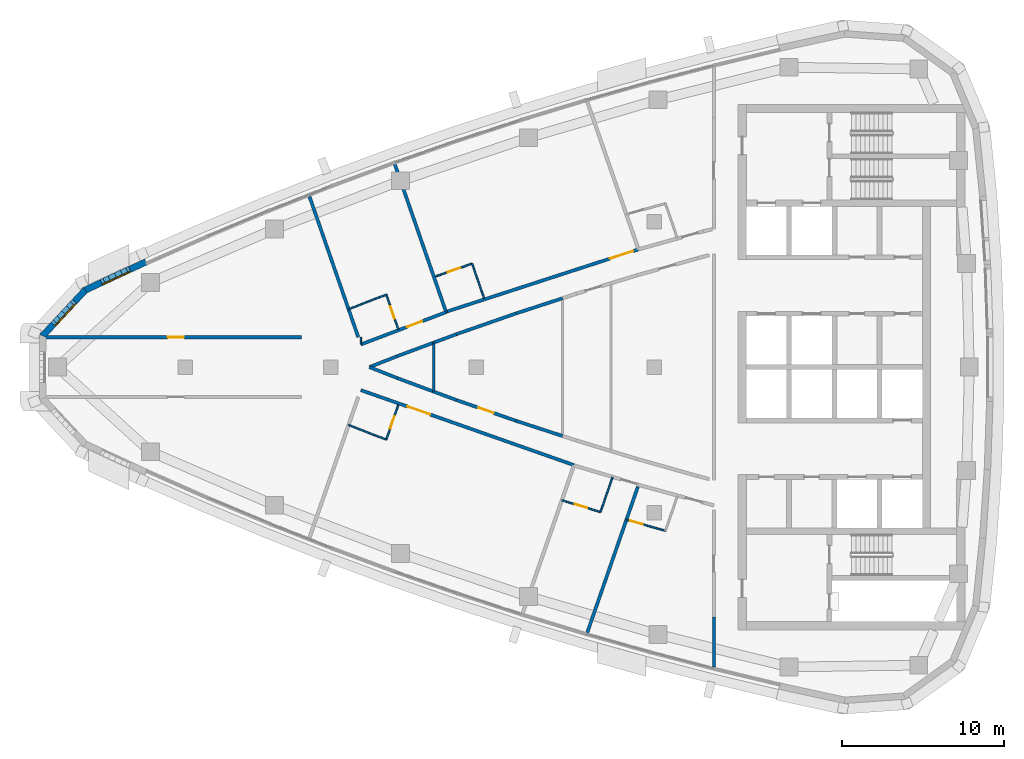
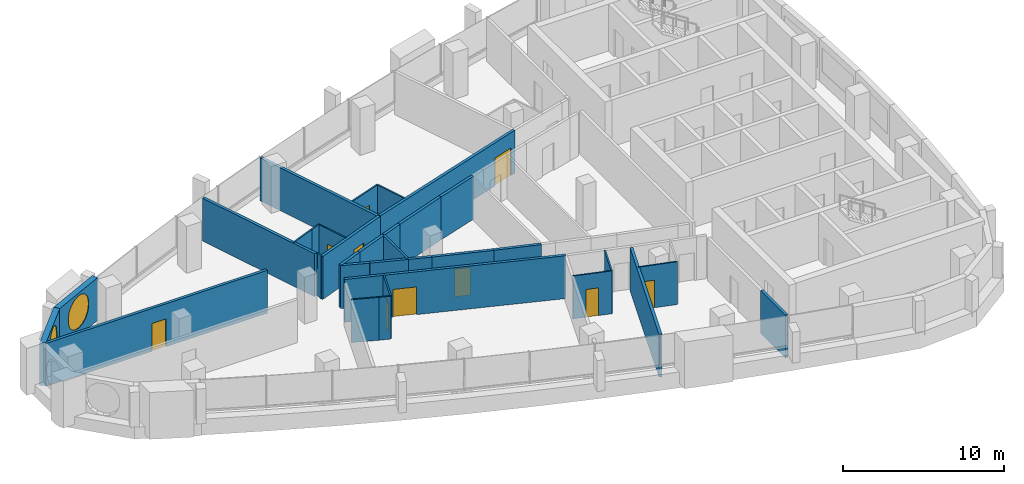
# One storey, part 7 of 14: 33 walls, 10 doors, 2 windows, 12 openings.
"""IFC4 building model written with IfcOpenShell, lengths in metres."""

import ifcopenshell
import ifcopenshell.guid

model = None  # the IFC model being written
_history = None  # IfcOwnerHistory: only IFC2X3 demands one
_inside = {}  # id of a spatial element -> (the spatial element, [elements in it])
_under = {}  # id of a project, library or spatial element -> (it, [spatial elements below it])
_declared = {}  # id of a project -> (the project, [libraries it declares])
_typed = {}  # id of a type object -> (the type object, [elements of that type])
_made_of = {}  # id of a material, layer set ... -> (it, [elements and type objects made of it])


def new_model(schema):
    """Start an empty IFC model of exactly this schema.

    Asked for "IFC4X3", IfcOpenShell would pick the latest addendum, in which some entities
    have other attributes; the version numbers below select the first issue.
    IFC2X3 requires an IfcOwnerHistory on every rooted entity: one is made here for all.
    """
    global model, _history
    if schema == "IFC4X3":
        model = ifcopenshell.file(schema_version=(4, 3, 0, 0))
    else:
        model = ifcopenshell.file(schema=schema)
    _inside.clear()
    _under.clear()
    _declared.clear()
    _typed.clear()
    _made_of.clear()
    _history = None
    if model.schema == "IFC2X3":
        org = make("IfcOrganization", Name="unknown")
        user = make(
            "IfcPersonAndOrganization",
            ThePerson=make("IfcPerson", FamilyName="unknown"),
            TheOrganization=org,
        )
        app = make(
            "IfcApplication",
            ApplicationDeveloper=org,
            Version="unknown",
            ApplicationFullName="unknown",
            ApplicationIdentifier="unknown",
        )
        _history = make(
            "IfcOwnerHistory",
            OwningUser=user,
            OwningApplication=app,
            ChangeAction="ADDED",
            CreationDate=0,
        )
    return model


def make(cls, **values):
    """One entity of the class cls with the attributes given. An attribute that is None is left unset."""
    return model.create_entity(
        cls, **{name: value for name, value in values.items() if value is not None}
    )


def rooted(cls, **values):
    """An entity with a GlobalId (a new one), such as an element, a storey or a relation."""
    return make(cls, GlobalId=ifcopenshell.guid.new(), OwnerHistory=_history, **values)


def si_unit(unit_type, name, prefix=None):
    """IfcSIUnit, for example si_unit("LENGTHUNIT", "METRE", prefix="MILLI")."""
    return make("IfcSIUnit", UnitType=unit_type, Prefix=prefix, Name=name)


def assignment(units):
    """IfcUnitAssignment: the units of a project."""
    return None if units is None else make("IfcUnitAssignment", Units=units)


def point(xyz):
    """IfcCartesianPoint."""
    return None if xyz is None else make("IfcCartesianPoint", Coordinates=xyz)


def direction(xyz):
    """IfcDirection."""
    return None if xyz is None else make("IfcDirection", DirectionRatios=xyz)


def frame(location, z_axis=None, x_axis=None):
    """IfcAxis2Placement3D, a coordinate frame: its origin and axes. An axis left out is left unset."""
    return make(
        "IfcAxis2Placement3D",
        Location=point(location),
        Axis=direction(z_axis),
        RefDirection=direction(x_axis),
    )


def frame_2d(location, x_axis=None):
    """IfcAxis2Placement2D, a coordinate frame in the plane: its origin and x axis."""
    return make(
        "IfcAxis2Placement2D", Location=point(location), RefDirection=direction(x_axis)
    )


def origin():
    """The frame at (0, 0, 0) with its axes left unset."""
    return frame((0.0, 0.0, 0.0))


def place(relative_to, where):
    """IfcLocalPlacement: puts the frame where relative to a parent placement (None: the world)."""
    return make(
        "IfcLocalPlacement", PlacementRelTo=relative_to, RelativePlacement=where
    )


def context(
    kind, dimensions, precision=None, world=None, true_north=None, identifier=None
):
    """IfcGeometricRepresentationContext, for example the 3D "Model" context."""
    return make(
        "IfcGeometricRepresentationContext",
        ContextIdentifier=identifier,
        ContextType=kind,
        CoordinateSpaceDimension=dimensions,
        Precision=precision,
        WorldCoordinateSystem=world,
        TrueNorth=true_north,
    )


def subcontext(parent, identifier, kind, view, scale=None):
    """IfcGeometricRepresentationSubContext, for example "Body" below "Model"."""
    return make(
        "IfcGeometricRepresentationSubContext",
        ContextIdentifier=identifier,
        ContextType=kind,
        ParentContext=parent,
        TargetScale=scale,
        TargetView=view,
    )


def project(units=None, contexts=None):
    """IfcProject with its units and contexts."""
    return rooted(
        "IfcProject",
        Name="project",
        RepresentationContexts=contexts,
        UnitsInContext=assignment(units),
    )


def spatial(cls, under=None, at=None, **own):
    """A site, building, storey or space (cls), placed at a placement, below another one or the project."""
    s = rooted(cls, ObjectPlacement=at, **own)
    if under is not None:
        _under.setdefault(under.id(), (under, []))[1].append(s)
    return s


def polyline(points):
    """IfcPolyline through the points."""
    return make("IfcPolyline", Points=[point(p) for p in points])


def profile(cls, at=None, kind="AREA", **sizes):
    """A parametric profile (cls). Its sizes go by their IFC names, for example OverallWidth=200.0."""
    return make(cls, ProfileType=kind, Position=at, **sizes)


def rectangle(**sizes):
    """IfcRectangleProfileDef."""
    return profile("IfcRectangleProfileDef", **sizes)


def outline(outer, holes=None, kind="AREA"):
    """IfcArbitraryClosedProfileDef: a profile drawn as a closed curve; with holes, ...WithVoids."""
    if holes is None:
        return make("IfcArbitraryClosedProfileDef", ProfileType=kind, OuterCurve=outer)
    return make(
        "IfcArbitraryProfileDefWithVoids",
        ProfileType=kind,
        OuterCurve=outer,
        InnerCurves=holes,
    )


def extrude(swept, where, along, depth):
    """IfcExtrudedAreaSolid: the profile swept, set in the frame where, extruded along a direction by depth."""
    return make(
        "IfcExtrudedAreaSolid",
        SweptArea=swept,
        Position=where,
        ExtrudedDirection=direction(along),
        Depth=depth,
    )


def shape(context_of_items, identifier, shape_type, items):
    """IfcShapeRepresentation: the items that make up one representation, for example the "Body"."""
    return make(
        "IfcShapeRepresentation",
        ContextOfItems=context_of_items,
        RepresentationIdentifier=identifier,
        RepresentationType=shape_type,
        Items=items,
    )


def material(Name=None, Category=None):
    """IfcMaterial."""
    return make("IfcMaterial", Name=Name, Category=Category)


def layer(
    of_material, thickness, ventilated=None, Name=None, Category=None, Priority=None
):
    """IfcMaterialLayer: one layer of a wall or slab, of a material (None: an air gap)."""
    return make(
        "IfcMaterialLayer",
        Material=of_material,
        LayerThickness=thickness,
        IsVentilated=ventilated,
        Name=Name,
        Category=Category,
        Priority=Priority,
    )


def layer_set(layers, Name=None):
    """IfcMaterialLayerSet."""
    return make("IfcMaterialLayerSet", MaterialLayers=layers, LayerSetName=Name)


def made_of(thing, what):
    """Note that an element or type object is made of a material, layer set ...; save() writes the relation."""
    if what is not None:
        _made_of.setdefault(what.id(), (what, []))[1].append(thing)
    return thing


def type_object(cls, material=None, **own):
    """A type object (cls), such as IfcWallType, which elements share."""
    return made_of(rooted(cls, **own), material)


def element(
    cls,
    number,
    at=None,
    inside=None,
    cuts=None,
    type_object=None,
    material=None,
    context=None,
    identifier="Body",
    shape_type=None,
    held_by="IfcProductDefinitionShape",
    body=None,
    shapes=None,
    **own,
):
    """One element of the class cls, such as IfcWall. Its Tag is "e" and its number.

    at: its placement. inside: the storey or other place that contains it. cuts: it is an
    opening in that element (IfcRelVoidsElement). A single representation is given by context,
    identifier, shape_type and body (its items); several are given by shapes. held_by: the class
    of the entity that holds the representations. save() writes the other relations.
    """
    e = rooted(cls, Tag="e%d" % number, ObjectPlacement=at, **own)
    if body is not None:
        shapes = [shape(context, identifier, shape_type, body)]
    if shapes is not None:
        e.Representation = make(held_by, Representations=shapes)
    if inside is not None:
        _inside.setdefault(inside.id(), (inside, []))[1].append(e)
    if cuts is not None:
        rooted(
            "IfcRelVoidsElement", RelatingBuildingElement=cuts, RelatedOpeningElement=e
        )
    if type_object is not None:
        _typed.setdefault(type_object.id(), (type_object, []))[1].append(e)
    return made_of(e, material)


def fill(opening, filler):
    """IfcRelFillsElement: the door or window that sits in an opening."""
    return rooted(
        "IfcRelFillsElement",
        RelatingOpeningElement=opening,
        RelatedBuildingElement=filler,
    )


def aggregate(whole, parts):
    """IfcRelAggregates: a whole, such as a stair, and the parts it consists of."""
    return rooted("IfcRelAggregates", RelatingObject=whole, RelatedObjects=parts)


def save(model, path):
    """Write the relations noted so far, then the file.

    IfcRelAggregates (storeys below a building ...), IfcRelContainedInSpatialStructure (elements
    in a storey), IfcRelDefinesByType, IfcRelAssociatesMaterial and IfcRelDeclares: one each for
    every whole, place, type object, material and project.
    """
    for whole, parts in _under.values():
        aggregate(whole, parts)
    for where, things in _inside.values():
        rooted(
            "IfcRelContainedInSpatialStructure",
            RelatedElements=things,
            RelatingStructure=where,
        )
    for kind, things in _typed.values():
        rooted("IfcRelDefinesByType", RelatedObjects=things, RelatingType=kind)
    for what, things in _made_of.values():
        rooted("IfcRelAssociatesMaterial", RelatedObjects=things, RelatingMaterial=what)
    for by, libraries in _declared.values():
        rooted("IfcRelDeclares", RelatingContext=by, RelatedDefinitions=libraries)
    model.write(path)


model = new_model("IFC4")

# Units and contexts
model_context = context("Model", 3, precision=1e-05, world=origin(), true_north=direction((0.0, 1.0)))
body_context = subcontext(model_context, "Body", "Model", "MODEL_VIEW")
ifc_project = project(units=[si_unit("LENGTHUNIT", "METRE"), si_unit("AREAUNIT", "SQUARE_METRE"), si_unit("VOLUMEUNIT", "CUBIC_METRE"), si_unit("PLANEANGLEUNIT", "RADIAN"), si_unit("MASSUNIT", "GRAM", prefix="KILO")], contexts=[model_context])

# Site, building, storey
site_placement = place(None, origin())
site = spatial("IfcSite", under=ifc_project, at=site_placement, CompositionType="ELEMENT")
building_placement = place(site_placement, origin())
building = spatial("IfcBuilding", under=site, at=building_placement, Name="Ostrand Prow Hotel Tower", CompositionType="ELEMENT")
storey_placement = place(building_placement, frame((0.0, 0.0, 267.89990234375)))
storey = spatial("IfcBuildingStorey", under=building, at=storey_placement, Name="L67", CompositionType="ELEMENT", Elevation=267.89990234375)

# Walls
ifc_material_1 = material(Name="Plasterboard partition")
ifc_layer_1 = layer(ifc_material_1, 0.10009765625)
ifc_layer_set_1 = layer_set([ifc_layer_1], Name="Plasterboard partition")
wall_type_1 = type_object("IfcWallType", Name="Partition 100 bathroom wall", PredefinedType="PARTITIONING", material=ifc_layer_set_1)
wall_1_placement = place(storey_placement, frame((26.095703125, 3.576171875, 0.0), z_axis=(0.0, 0.0, 1.0), x_axis=(0.930254925629, 0.366913850028, 0.0)))
element("IfcWall", 1, at=wall_1_placement, inside=storey, type_object=wall_type_1, Name="BATHROOM WALL", PredefinedType="PARTITIONING", context=body_context, shape_type="SweptSolid", body=[
    extrude(rectangle(XDim=1.760009765625, YDim=0.10009765625, at=frame_2d((0.8798828125, 0.0))), origin(), (0.0, 0.0, 1.0), 3.25),
])
wall_2_placement = place(storey_placement, frame((27.73291015625, 4.221923828125, 0.0), z_axis=(0.0, 0.0, 1.0), x_axis=(0.937514267289, 0.347946833049, 0.0)))
element("IfcWall", 2, at=wall_2_placement, inside=storey, type_object=wall_type_1, Name="BATHROOM WALL", PredefinedType="PARTITIONING", context=body_context, shape_type="SweptSolid", body=[
    extrude(rectangle(XDim=0.74169921875, YDim=0.10009765625, at=frame_2d((0.370849609375, 0.0))), origin(), (0.0, 0.0, 1.0), 3.25),
])

# Wall, opening, door
wall_3_placement = place(storey_placement, frame((28.42822265625, 4.47998046875, 0.0), z_axis=(0.0, 0.0, 1.0), x_axis=(0.327718024288, -0.944775579996, 0.0)))
wall_3 = element("IfcWall", 3, at=wall_3_placement, inside=storey, type_object=wall_type_1, Name="BATHROOM WALL", PredefinedType="PARTITIONING", context=body_context, shape_type="SweptSolid", body=[
    extrude(rectangle(XDim=2.27734375, YDim=0.10009765625, at=frame_2d((1.138671875, 0.0))), origin(), (0.0, 0.0, 1.0), 3.25),
])
opening_1_placement = place(wall_3_placement, frame((0.75, 0.0, 0.0)))
opening_1 = element("IfcOpeningElement", 4, at=opening_1_placement, cuts=wall_3, Name="Opening D2", PredefinedType="OPENING", context=body_context, shape_type="SweptSolid", body=[
    extrude(rectangle(XDim=0.800048828125, YDim=2.10009765625, at=frame_2d((0.39990234375, 1.050048828125))), frame((0.0, 0.06005859375, 0.0), z_axis=(0.0, -1.0, 0.0), x_axis=(1.0, 0.0, 0.0)), (0.0, 0.0, 1.0), 0.1201171875),
])
ifc_material_2 = material(Name="Timber door leaf", Category="wood")
door_type_1 = type_object("IfcDoorType", Name="Bathroom door 800", OperationType="SINGLE_SWING_LEFT", PredefinedType="DOOR", material=ifc_material_2)
door_1_placement = place(opening_1_placement, origin())
door_1 = element("IfcDoor", 5, at=door_1_placement, inside=storey, type_object=door_type_1, Name="DOOR", OperationType="SINGLE_SWING_LEFT", OverallHeight=2.10009765625, OverallWidth=0.800048828125, PredefinedType="DOOR", context=body_context, shape_type="SweptSolid", body=[
    extrude(rectangle(XDim=0.800048828125, YDim=2.10009765625, at=frame_2d((0.39990234375, 1.050048828125))), frame((0.0, 0.02490234375, 0.0), z_axis=(0.0, -1.0, 0.0), x_axis=(1.0, 0.0, 0.0)), (0.0, 0.0, 1.0), 0.050048828125),
])
fill(opening_1, door_1)

wall_4_placement = place(storey_placement, frame((31.472900390625, 5.610595703125, 0.0), z_axis=(0.0, 0.0, 1.0), x_axis=(0.944305532659, 0.329069994059, 0.0)))
wall_4 = element("IfcWall", 6, at=wall_4_placement, inside=storey, type_object=wall_type_1, Name="BATHROOM WALL", PredefinedType="PARTITIONING", context=body_context, shape_type="SweptSolid", body=[
    extrude(rectangle(XDim=2.395751953125, YDim=0.10009765625, at=frame_2d((1.19775390625, 0.0))), origin(), (0.0, 0.0, 1.0), 3.25),
])
opening_2_placement = place(wall_4_placement, frame((0.800048828125, 0.0, 0.0)))
opening_2 = element("IfcOpeningElement", 7, at=opening_2_placement, cuts=wall_4, Name="Opening D2", PredefinedType="OPENING", context=body_context, shape_type="SweptSolid", body=[
    extrude(rectangle(XDim=0.800048828125, YDim=2.10009765625, at=frame_2d((0.39990234375, 1.050048828125))), frame((0.0, 0.06005859375, 0.0), z_axis=(0.0, -1.0, 0.0), x_axis=(1.0, 0.0, 0.0)), (0.0, 0.0, 1.0), 0.1201171875),
])
door_2_placement = place(opening_2_placement, origin())
door_2 = element("IfcDoor", 8, at=door_2_placement, inside=storey, type_object=door_type_1, Name="DOOR", OperationType="SINGLE_SWING_LEFT", OverallHeight=2.10009765625, OverallWidth=0.800048828125, PredefinedType="DOOR", context=body_context, shape_type="SweptSolid", body=[
    extrude(rectangle(XDim=0.800048828125, YDim=2.10009765625, at=frame_2d((0.39990234375, 1.050048828125))), frame((0.0, 0.02490234375, 0.0), z_axis=(0.0, -1.0, 0.0), x_axis=(1.0, 0.0, 0.0)), (0.0, 0.0, 1.0), 0.050048828125),
])
fill(opening_2, door_2)

# Wall
wall_5_placement = place(storey_placement, frame((33.7353515625, 6.39892578125, 0.0), z_axis=(0.0, 0.0, 1.0), x_axis=(0.32768871219, -0.944785747089, 0.0)))
element("IfcWall", 9, at=wall_5_placement, inside=storey, type_object=wall_type_1, Name="BATHROOM WALL", PredefinedType="PARTITIONING", context=body_context, shape_type="SweptSolid", body=[
    extrude(rectangle(XDim=2.27685546875, YDim=0.10009765625, at=frame_2d((1.138427734375, 0.0))), origin(), (0.0, 0.0, 1.0), 3.25),
])

# Wall, opening, door
wall_6_placement = place(storey_placement, frame((29.174560546875, -2.328369140625, 0.0), z_axis=(0.0, 0.0, 1.0), x_axis=(-0.327718024288, -0.944775579996, 0.0)))
wall_6 = element("IfcWall", 10, at=wall_6_placement, inside=storey, type_object=wall_type_1, Name="BATHROOM WALL", PredefinedType="PARTITIONING", context=body_context, shape_type="SweptSolid", body=[
    extrude(rectangle(XDim=2.27734375, YDim=0.10009765625, at=frame_2d((1.138671875, 0.0))), origin(), (0.0, 0.0, 1.0), 3.25),
])
opening_3_placement = place(wall_6_placement, frame((0.75, 0.0, 0.0)))
opening_3 = element("IfcOpeningElement", 11, at=opening_3_placement, cuts=wall_6, Name="Opening D2", PredefinedType="OPENING", context=body_context, shape_type="SweptSolid", body=[
    extrude(rectangle(XDim=0.800048828125, YDim=2.10009765625, at=frame_2d((0.39990234375, 1.050048828125))), frame((0.0, 0.06005859375, 0.0), z_axis=(0.0, -1.0, 0.0), x_axis=(1.0, 0.0, 0.0)), (0.0, 0.0, 1.0), 0.1201171875),
])
door_3_placement = place(opening_3_placement, origin())
door_3 = element("IfcDoor", 12, at=door_3_placement, inside=storey, type_object=door_type_1, Name="DOOR", OperationType="SINGLE_SWING_LEFT", OverallHeight=2.10009765625, OverallWidth=0.800048828125, PredefinedType="DOOR", context=body_context, shape_type="SweptSolid", body=[
    extrude(rectangle(XDim=0.800048828125, YDim=2.10009765625, at=frame_2d((0.39990234375, 1.050048828125))), frame((0.0, 0.02490234375, 0.0), z_axis=(0.0, -1.0, 0.0), x_axis=(1.0, 0.0, 0.0)), (0.0, 0.0, 1.0), 0.050048828125),
])
fill(opening_3, door_3)

# Walls
wall_7_placement = place(storey_placement, frame((28.42822265625, -4.47998046875, 0.0), z_axis=(0.0, 0.0, 1.0), x_axis=(-0.937514267289, 0.347946833049, 0.0)))
element("IfcWall", 13, at=wall_7_placement, inside=storey, type_object=wall_type_1, Name="BATHROOM WALL", PredefinedType="PARTITIONING", context=body_context, shape_type="SweptSolid", body=[
    extrude(rectangle(XDim=0.74169921875, YDim=0.10009765625, at=frame_2d((0.370849609375, 0.0))), origin(), (0.0, 0.0, 1.0), 3.25),
])
wall_8_placement = place(storey_placement, frame((27.73291015625, -4.221923828125, 0.0), z_axis=(0.0, 0.0, 1.0), x_axis=(-0.930254925629, 0.366913850028, 0.0)))
element("IfcWall", 14, at=wall_8_placement, inside=storey, type_object=wall_type_1, Name="BATHROOM WALL", PredefinedType="PARTITIONING", context=body_context, shape_type="SweptSolid", body=[
    extrude(rectangle(XDim=1.760009765625, YDim=0.10009765625, at=frame_2d((0.8798828125, 0.0))), origin(), (0.0, 0.0, 1.0), 3.25),
])
wall_9_placement = place(storey_placement, frame((42.42822265625, -6.813232421875, 0.0), z_axis=(0.0, 0.0, 1.0), x_axis=(-0.327743427431, -0.944766767925, 0.0)))
element("IfcWall", 15, at=wall_9_placement, inside=storey, type_object=wall_type_1, Name="BATHROOM WALL", PredefinedType="PARTITIONING", context=body_context, shape_type="SweptSolid", body=[
    extrude(rectangle(XDim=2.27880859375, YDim=0.10009765625, at=frame_2d((1.139404296875, 0.0))), origin(), (0.0, 0.0, 1.0), 3.25),
])

# Wall, opening, door
wall_10_placement = place(storey_placement, frame((41.681396484375, -8.96630859375, 0.0), z_axis=(0.0, 0.0, 1.0), x_axis=(-0.956723503196, 0.290998519638, 0.0)))
wall_10 = element("IfcWall", 16, at=wall_10_placement, inside=storey, type_object=wall_type_1, Name="BATHROOM WALL", PredefinedType="PARTITIONING", context=body_context, shape_type="SweptSolid", body=[
    extrude(rectangle(XDim=2.501708984375, YDim=0.10009765625, at=frame_2d((1.2509765625, 0.0))), origin(), (0.0, 0.0, 1.0), 3.25),
])
opening_4_placement = place(wall_10_placement, frame((0.85009765625, 0.0, 0.0)))
opening_4 = element("IfcOpeningElement", 17, at=opening_4_placement, cuts=wall_10, Name="Opening D2", PredefinedType="OPENING", context=body_context, shape_type="SweptSolid", body=[
    extrude(rectangle(XDim=0.800048828125, YDim=2.10009765625, at=frame_2d((0.39990234375, 1.050048828125))), frame((0.0, 0.06005859375, 0.0), z_axis=(0.0, -1.0, 0.0), x_axis=(1.0, 0.0, 0.0)), (0.0, 0.0, 1.0), 0.1201171875),
])
door_4_placement = place(opening_4_placement, origin())
door_4 = element("IfcDoor", 18, at=door_4_placement, inside=storey, type_object=door_type_1, Name="DOOR", OperationType="SINGLE_SWING_LEFT", OverallHeight=2.10009765625, OverallWidth=0.800048828125, PredefinedType="DOOR", context=body_context, shape_type="SweptSolid", body=[
    extrude(rectangle(XDim=0.800048828125, YDim=2.10009765625, at=frame_2d((0.39990234375, 1.050048828125))), frame((0.0, 0.02490234375, 0.0), z_axis=(0.0, -1.0, 0.0), x_axis=(1.0, 0.0, 0.0)), (0.0, 0.0, 1.0), 0.050048828125),
])
fill(opening_4, door_4)

wall_11_placement = place(storey_placement, frame((45.69287109375, -10.123779296875, 0.0), z_axis=(0.0, 0.0, 1.0), x_axis=(-0.962409173596, 0.271603723424, 0.0)))
wall_11 = element("IfcWall", 19, at=wall_11_placement, inside=storey, type_object=wall_type_1, Name="BATHROOM WALL", PredefinedType="PARTITIONING", context=body_context, shape_type="SweptSolid", body=[
    extrude(rectangle(XDim=2.50439453125, YDim=0.10009765625, at=frame_2d((1.252197265625, 0.0))), origin(), (0.0, 0.0, 1.0), 3.25),
])
opening_5_placement = place(wall_11_placement, frame((1.449951171875, 0.0, 0.0)))
opening_5 = element("IfcOpeningElement", 20, at=opening_5_placement, cuts=wall_11, Name="Opening D2", PredefinedType="OPENING", context=body_context, shape_type="SweptSolid", body=[
    extrude(rectangle(XDim=0.800048828125, YDim=2.10009765625, at=frame_2d((0.39990234375, 1.050048828125))), frame((0.0, 0.06005859375, 0.0), z_axis=(0.0, -1.0, 0.0), x_axis=(1.0, 0.0, 0.0)), (0.0, 0.0, 1.0), 0.1201171875),
])
door_5_placement = place(opening_5_placement, origin())
door_5 = element("IfcDoor", 21, at=door_5_placement, inside=storey, type_object=door_type_1, Name="DOOR", OperationType="SINGLE_SWING_LEFT", OverallHeight=2.10009765625, OverallWidth=0.800048828125, PredefinedType="DOOR", context=body_context, shape_type="SweptSolid", body=[
    extrude(rectangle(XDim=0.800048828125, YDim=2.10009765625, at=frame_2d((0.39990234375, 1.050048828125))), frame((0.0, 0.02490234375, 0.0), z_axis=(0.0, -1.0, 0.0), x_axis=(1.0, 0.0, 0.0)), (0.0, 0.0, 1.0), 0.050048828125),
])
fill(opening_5, door_5)

# Walls
wall_12_placement = place(storey_placement, frame((26.8564453125, 1.4091796875, 0.0), z_axis=(0.0, 0.0, 1.0), x_axis=(-0.003863105832, 0.999992538179, 0.0)))
element("IfcWall", 22, at=wall_12_placement, inside=storey, type_object=wall_type_1, Name="BATHROOM WALL", PredefinedType="PARTITIONING", context=body_context, shape_type="SweptSolid", body=[
    extrude(rectangle(XDim=0.4423828125, YDim=0.10009765625, at=frame_2d((0.22119140625, 0.0))), origin(), (0.0, 0.0, 1.0), 3.25),
])
ifc_material_3 = material(Name="Plasterboard partition")
ifc_layer_2 = layer(ifc_material_3, 0.14990234375)
ifc_layer_set_2 = layer_set([ifc_layer_2], Name="Plasterboard partition")
wall_type_2 = type_object("IfcWallType", Name="Partition 150 room partition", PredefinedType="PARTITIONING", material=ifc_layer_set_2)
wall_13_placement = place(storey_placement, frame((31.366943359375, -1.517578125, 0.0), z_axis=(0.0, 0.0, 1.0), x_axis=(0.0, 1.0, 0.0)))
element("IfcWall", 23, at=wall_13_placement, inside=storey, type_object=wall_type_2, Name="ROOM PARTITION", PredefinedType="PARTITIONING", context=body_context, shape_type="SweptSolid", body=[
    extrude(rectangle(XDim=3.03515625, YDim=0.14990234375, at=frame_2d((1.517578125, 0.0))), origin(), (0.0, 0.0, 1.0), 3.25),
])

# Wall, opening, door
ifc_material_4 = material(Name="Plasterboard partition")
ifc_layer_3 = layer(ifc_material_4, 0.199951171875)
ifc_layer_set_3 = layer_set([ifc_layer_3], Name="Plasterboard partition")
wall_type_3 = type_object("IfcWallType", Name="Partition 200 corridor wall", PredefinedType="PARTITIONING", material=ifc_layer_set_3)
wall_14_placement = place(storey_placement, frame((7.287109375, 1.85009765625, 0.0), z_axis=(0.0, 0.0, 1.0), x_axis=(1.0, 0.0, 0.0)))
wall_14 = element("IfcWall", 24, at=wall_14_placement, inside=storey, type_object=wall_type_3, Name="CORRIDOR WALL", PredefinedType="PARTITIONING", context=body_context, shape_type="SweptSolid", body=[
    extrude(rectangle(XDim=15.898681640625, YDim=0.199951171875, at=frame_2d((7.94921875, 0.0))), origin(), (0.0, 0.0, 1.0), 3.25),
])
opening_6_placement = place(wall_14_placement, frame((7.6240234375, 0.0, 0.0)))
opening_6 = element("IfcOpeningElement", 25, at=opening_6_placement, cuts=wall_14, Name="Opening D1", PredefinedType="OPENING", context=body_context, shape_type="SweptSolid", body=[
    extrude(rectangle(XDim=1.0, YDim=2.10009765625, at=frame_2d((0.5, 1.050048828125))), frame((0.0, 0.10986328125, 0.0), z_axis=(0.0, -1.0, 0.0), x_axis=(1.0, 0.0, 0.0)), (0.0, 0.0, 1.0), 0.219970703125),
])
ifc_material_5 = material(Name="Timber door leaf", Category="wood")
door_type_2 = type_object("IfcDoorType", Name="Guest room door 1000", OperationType="SINGLE_SWING_LEFT", PredefinedType="DOOR", material=ifc_material_5)
door_6_placement = place(opening_6_placement, origin())
door_6 = element("IfcDoor", 26, at=door_6_placement, inside=storey, type_object=door_type_2, Name="DOOR", OperationType="SINGLE_SWING_LEFT", OverallHeight=2.10009765625, OverallWidth=1.0, PredefinedType="DOOR", context=body_context, shape_type="SweptSolid", body=[
    extrude(rectangle(XDim=1.0, YDim=2.10009765625, at=frame_2d((0.5, 1.050048828125))), frame((0.0, 0.02490234375, 0.0), z_axis=(0.0, -1.0, 0.0), x_axis=(1.0, 0.0, 0.0)), (0.0, 0.0, 1.0), 0.050048828125),
])
fill(opening_6, door_6)

wall_15_placement = place(storey_placement, frame((26.85009765625, 1.4013671875, 0.0), z_axis=(0.0, 0.0, 1.0), x_axis=(0.935181367748, 0.354169181912, 0.0)))
wall_15 = element("IfcWall", 27, at=wall_15_placement, inside=storey, type_object=wall_type_3, Name="CORRIDOR WALL", PredefinedType="PARTITIONING", context=body_context, shape_type="SweptSolid", body=[
    extrude(rectangle(XDim=5.64501953125, YDim=0.199951171875, at=frame_2d((2.822509765625, 0.0))), origin(), (0.0, 0.0, 1.0), 3.25),
])
opening_7_placement = place(wall_15_placement, frame((3.050048828125, 0.0, 0.0)))
opening_7 = element("IfcOpeningElement", 28, at=opening_7_placement, cuts=wall_15, Name="Opening D1R", PredefinedType="OPENING", context=body_context, shape_type="SweptSolid", body=[
    extrude(rectangle(XDim=1.0, YDim=2.10009765625, at=frame_2d((0.5, 1.050048828125))), frame((0.0, 0.10986328125, 0.0), z_axis=(0.0, -1.0, 0.0), x_axis=(1.0, 0.0, 0.0)), (0.0, 0.0, 1.0), 0.219970703125),
])
ifc_material_6 = material(Name="Timber door leaf", Category="wood")
door_type_3 = type_object("IfcDoorType", Name="Guest room door 1000 right", OperationType="SINGLE_SWING_RIGHT", PredefinedType="DOOR", material=ifc_material_6)
door_7_placement = place(opening_7_placement, origin())
door_7 = element("IfcDoor", 29, at=door_7_placement, inside=storey, type_object=door_type_3, Name="DOOR", OperationType="SINGLE_SWING_RIGHT", OverallHeight=2.10009765625, OverallWidth=1.0, PredefinedType="DOOR", context=body_context, shape_type="SweptSolid", body=[
    extrude(rectangle(XDim=1.0, YDim=2.10009765625, at=frame_2d((0.5, 1.050048828125))), frame((0.0, 0.02490234375, 0.0), z_axis=(0.0, -1.0, 0.0), x_axis=(1.0, 0.0, 0.0)), (0.0, 0.0, 1.0), 0.050048828125),
])
fill(opening_7, door_7)

wall_16_placement = place(storey_placement, frame((44.03125, 7.285888671875, 0.0), z_axis=(0.0, 0.0, 1.0), x_axis=(-0.951130603276, -0.308788885019, 0.0)))
wall_16 = element("IfcWall", 30, at=wall_16_placement, inside=storey, type_object=wall_type_3, Name="CORRIDOR WALL", PredefinedType="PARTITIONING", context=body_context, shape_type="SweptSolid", body=[
    extrude(rectangle(XDim=12.5205078125, YDim=0.199951171875, at=frame_2d((6.26025390625, 0.0))), origin(), (0.0, 0.0, 1.0), 3.25),
])
opening_8_placement = place(wall_16_placement, frame((0.35009765625, 0.0, 0.0)))
opening_8 = element("IfcOpeningElement", 31, at=opening_8_placement, cuts=wall_16, Name="Opening D15", PredefinedType="OPENING", context=body_context, shape_type="SweptSolid", body=[
    extrude(rectangle(XDim=1.5, YDim=2.10009765625, at=frame_2d((0.75, 1.050048828125))), frame((0.0, 0.10986328125, 0.0), z_axis=(0.0, -1.0, 0.0), x_axis=(1.0, 0.0, 0.0)), (0.0, 0.0, 1.0), 0.219970703125),
])
ifc_material_7 = material(Name="Timber door leaf", Category="wood")
door_type_4 = type_object("IfcDoorType", Name="Double door 1500", OperationType="DOUBLE_DOOR_SINGLE_SWING", PredefinedType="DOOR", material=ifc_material_7)
door_8_placement = place(opening_8_placement, origin())
door_8 = element("IfcDoor", 32, at=door_8_placement, inside=storey, type_object=door_type_4, Name="DOOR", OperationType="DOUBLE_DOOR_SINGLE_SWING", OverallHeight=2.10009765625, OverallWidth=1.5, PredefinedType="DOOR", context=body_context, shape_type="SweptSolid", body=[
    extrude(rectangle(XDim=1.5, YDim=2.10009765625, at=frame_2d((0.75, 1.050048828125))), frame((0.0, 0.02490234375, 0.0), z_axis=(0.0, -1.0, 0.0), x_axis=(1.0, 0.0, 0.0)), (0.0, 0.0, 1.0), 0.050048828125),
])
fill(opening_8, door_8)

wall_17_placement = place(storey_placement, frame((26.85009765625, -1.4228515625, 0.0), z_axis=(0.0, 0.0, 1.0), x_axis=(0.943328585164, -0.331860182022, 0.0)))
wall_17 = element("IfcWall", 33, at=wall_17_placement, inside=storey, type_object=wall_type_3, Name="CORRIDOR WALL", PredefinedType="PARTITIONING", context=body_context, shape_type="SweptSolid", body=[
    extrude(rectangle(XDim=13.984375, YDim=0.199951171875, at=frame_2d((6.9921875, 0.0))), origin(), (0.0, 0.0, 1.0), 3.25),
])
opening_9_placement = place(wall_17_placement, frame((3.050048828125, 0.0, 0.0)))
opening_9 = element("IfcOpeningElement", 34, at=opening_9_placement, cuts=wall_17, Name="Opening D15", PredefinedType="OPENING", context=body_context, shape_type="SweptSolid", body=[
    extrude(rectangle(XDim=1.5, YDim=2.10009765625, at=frame_2d((0.75, 1.050048828125))), frame((0.0, 0.10986328125, 0.0), z_axis=(0.0, -1.0, 0.0), x_axis=(1.0, 0.0, 0.0)), (0.0, 0.0, 1.0), 0.219970703125),
])
door_9_placement = place(opening_9_placement, origin())
door_9 = element("IfcDoor", 35, at=door_9_placement, inside=storey, type_object=door_type_4, Name="DOOR", OperationType="DOUBLE_DOOR_SINGLE_SWING", OverallHeight=2.10009765625, OverallWidth=1.5, PredefinedType="DOOR", context=body_context, shape_type="SweptSolid", body=[
    extrude(rectangle(XDim=1.5, YDim=2.10009765625, at=frame_2d((0.75, 1.050048828125))), frame((0.0, 0.02490234375, 0.0), z_axis=(0.0, -1.0, 0.0), x_axis=(1.0, 0.0, 0.0)), (0.0, 0.0, 1.0), 0.050048828125),
])
fill(opening_9, door_9)

# Walls
wall_18_placement = place(storey_placement, frame((29.091552734375, 0.6728515625, 0.0), z_axis=(0.0, 0.0, 1.0), x_axis=(0.937481542944, 0.348034993411, 0.0)))
element("IfcWall", 36, at=wall_18_placement, inside=storey, type_object=wall_type_3, Name="CORRIDOR WALL", PredefinedType="PARTITIONING", context=body_context, shape_type="SweptSolid", body=[
    extrude(rectangle(XDim=2.42724609375, YDim=0.199951171875, at=frame_2d((1.213623046875, 0.0))), origin(), (0.0, 0.0, 1.0), 3.25),
])
for number, where, z_axis, x_axis, name in (
    (37, (29.091552734375, -0.6728515625, 0.0), (0.0, 0.0, 1.0), (-0.930265251482, 0.366887669302, 0.0), "CORRIDOR WALL"),
    (38, (27.385498046875, 0.0, 0.0), (0.0, 0.0, 1.0), (0.930265251482, 0.366887669302, 0.0), "CORRIDOR WALL"),
):
    element("IfcWall", number, at=place(storey_placement, frame(where, z_axis=z_axis, x_axis=x_axis)), inside=storey, type_object=wall_type_3, Name=name, PredefinedType="PARTITIONING", context=body_context, shape_type="SweptSolid", body=[
        extrude(rectangle(XDim=1.833984375, YDim=0.199951171875, at=frame_2d((0.9169921875, 0.0))), origin(), (0.0, 0.0, 1.0), 3.25),
    ])
wall_19_placement = place(storey_placement, frame((31.366943359375, -1.517578125, 0.0), z_axis=(0.0, 0.0, 1.0), x_axis=(-0.937481542944, 0.348034993411, 0.0)))
element("IfcWall", 39, at=wall_19_placement, inside=storey, type_object=wall_type_3, Name="CORRIDOR WALL", PredefinedType="PARTITIONING", context=body_context, shape_type="SweptSolid", body=[
    extrude(rectangle(XDim=2.42724609375, YDim=0.199951171875, at=frame_2d((1.213623046875, 0.0))), origin(), (0.0, 0.0, 1.0), 3.25),
])

# Wall, opening, door
wall_20_placement = place(storey_placement, frame((36.45458984375, -3.32275390625, 0.0), z_axis=(0.0, 0.0, 1.0), x_axis=(-0.944283635062, 0.329132825093, 0.0)))
wall_20 = element("IfcWall", 40, at=wall_20_placement, inside=storey, type_object=wall_type_3, Name="CORRIDOR WALL", PredefinedType="PARTITIONING", context=body_context, shape_type="SweptSolid", body=[
    extrude(rectangle(XDim=3.912841796875, YDim=0.199951171875, at=frame_2d((1.95654296875, 0.0))), origin(), (0.0, 0.0, 1.0), 3.25),
])
opening_10_placement = place(wall_20_placement, frame((1.45654296875, 0.0, 0.0)))
opening_10 = element("IfcOpeningElement", 41, at=opening_10_placement, cuts=wall_20, Name="Opening D1", PredefinedType="OPENING", context=body_context, shape_type="SweptSolid", body=[
    extrude(rectangle(XDim=1.0, YDim=2.10009765625, at=frame_2d((0.5, 1.050048828125))), frame((0.0, 0.10986328125, 0.0), z_axis=(0.0, -1.0, 0.0), x_axis=(1.0, 0.0, 0.0)), (0.0, 0.0, 1.0), 0.219970703125),
])
door_10_placement = place(opening_10_placement, origin())
door_10 = element("IfcDoor", 42, at=door_10_placement, inside=storey, type_object=door_type_2, Name="DOOR", OperationType="SINGLE_SWING_LEFT", OverallHeight=2.10009765625, OverallWidth=1.0, PredefinedType="DOOR", context=body_context, shape_type="SweptSolid", body=[
    extrude(rectangle(XDim=1.0, YDim=2.10009765625, at=frame_2d((0.5, 1.050048828125))), frame((0.0, 0.02490234375, 0.0), z_axis=(0.0, -1.0, 0.0), x_axis=(1.0, 0.0, 0.0)), (0.0, 0.0, 1.0), 0.050048828125),
])
fill(opening_10, door_10)

# Walls
wall_21_placement = place(storey_placement, frame((39.32958984375, -4.260498046875, 0.0), z_axis=(0.0, 0.0, 1.0), x_axis=(-0.95070604111, 0.310093572003, 0.0)))
element("IfcWall", 43, at=wall_21_placement, inside=storey, type_object=wall_type_3, Name="CORRIDOR WALL", PredefinedType="PARTITIONING", context=body_context, shape_type="SweptSolid", body=[
    extrude(rectangle(XDim=3.024169921875, YDim=0.199951171875, at=frame_2d((1.51220703125, 0.0))), origin(), (0.0, 0.0, 1.0), 3.25),
])
for number, where, z_axis, x_axis, name in (
    (44, (32.759765625, -2.034912109375, 0.0), (0.0, 0.0, 1.0), (-0.93742527201, 0.348186529604, 0.0), "CORRIDOR WALL"),
    (45, (31.366943359375, 1.517578125, 0.0), (0.0, 0.0, 1.0), (0.93742527201, 0.348186529604, 0.0), "CORRIDOR WALL"),
):
    element("IfcWall", number, at=place(storey_placement, frame(where, z_axis=z_axis, x_axis=x_axis)), inside=storey, type_object=wall_type_3, Name=name, PredefinedType="PARTITIONING", context=body_context, shape_type="SweptSolid", body=[
        extrude(rectangle(XDim=1.48583984375, YDim=0.199951171875, at=frame_2d((0.742919921875, 0.0))), origin(), (0.0, 0.0, 1.0), 3.25),
    ])
wall_22_placement = place(storey_placement, frame((32.759765625, 2.034912109375, 0.0), z_axis=(0.0, 0.0, 1.0), x_axis=(0.944283635062, 0.329132825093, 0.0)))
element("IfcWall", 46, at=wall_22_placement, inside=storey, type_object=wall_type_3, Name="CORRIDOR WALL", PredefinedType="PARTITIONING", context=body_context, shape_type="SweptSolid", body=[
    extrude(rectangle(XDim=3.912841796875, YDim=0.199951171875, at=frame_2d((1.95654296875, 0.0))), origin(), (0.0, 0.0, 1.0), 3.25),
])
wall_23_placement = place(storey_placement, frame((36.45458984375, 3.32275390625, 0.0), z_axis=(0.0, 0.0, 1.0), x_axis=(0.95070604111, 0.310093572003, 0.0)))
element("IfcWall", 47, at=wall_23_placement, inside=storey, type_object=wall_type_3, Name="CORRIDOR WALL", PredefinedType="PARTITIONING", context=body_context, shape_type="SweptSolid", body=[
    extrude(rectangle(XDim=3.024169921875, YDim=0.199951171875, at=frame_2d((1.51220703125, 0.0))), origin(), (0.0, 0.0, 1.0), 3.25),
])
wall_24_placement = place(storey_placement, frame((48.695068359375, -15.455078125, 0.0), z_axis=(0.0, 0.0, 1.0), x_axis=(0.0, -1.0, 0.0)))
element("IfcWall", 48, at=wall_24_placement, inside=storey, type_object=wall_type_3, Name="CORRIDOR WALL", PredefinedType="PARTITIONING", context=body_context, shape_type="SweptSolid", body=[
    extrude(rectangle(XDim=3.09814453125, YDim=0.199951171875, at=frame_2d((1.549072265625, 0.0))), origin(), (0.0, 0.0, 1.0), 3.25),
])
ifc_material_8 = material(Name="Plasterboard partition")
ifc_layer_4 = layer(ifc_material_8, 0.199951171875)
ifc_layer_set_4 = layer_set([ifc_layer_4], Name="Plasterboard partition")
wall_type_4 = type_object("IfcWallType", Name="Partition 200 key partition", PredefinedType="PARTITIONING", material=ifc_layer_set_4)
wall_25_placement = place(storey_placement, frame((26.6943359375, 1.85009765625, 0.0), z_axis=(0.0, 0.0, 1.0), x_axis=(-0.327714422317, 0.944776829418, 0.0)))
element("IfcWall", 49, at=wall_25_placement, inside=storey, type_object=wall_type_4, Name="KEY PARTITION", PredefinedType="PARTITIONING", context=body_context, shape_type="SweptSolid", body=[
    extrude(rectangle(XDim=9.2333984375, YDim=0.199951171875, at=frame_2d((4.61669921875, 0.0))), origin(), (0.0, 0.0, 1.0), 3.25),
])
wall_26_placement = place(storey_placement, frame((32.129150390625, 3.400634765625, 0.0), z_axis=(0.0, 0.0, 1.0), x_axis=(-0.327724115377, 0.944773467134, 0.0)))
element("IfcWall", 50, at=wall_26_placement, inside=storey, type_object=wall_type_4, Name="KEY PARTITION", PredefinedType="PARTITIONING", context=body_context, shape_type="SweptSolid", body=[
    extrude(rectangle(XDim=9.702392578125, YDim=0.199951171875, at=frame_2d((4.85107421875, 0.0))), origin(), (0.0, 0.0, 1.0), 3.25),
])
wall_27_placement = place(storey_placement, frame((40.853515625, -16.447021484375, 0.0), z_axis=(0.0, 0.0, 1.0), x_axis=(0.327714654767, 0.944776748788, 0.0)))
element("IfcWall", 51, at=wall_27_placement, inside=storey, type_object=wall_type_4, Name="KEY PARTITION", PredefinedType="PARTITIONING", context=body_context, shape_type="SweptSolid", body=[
    extrude(rectangle(XDim=9.57666015625, YDim=0.199951171875, at=frame_2d((4.788330078125, 0.0))), origin(), (0.0, 0.0, 1.0), 3.25),
])

# Wall, opening, window
ifc_material_9 = material(Name="Precast concrete C40/50", Category="concrete")
ifc_layer_5 = layer(ifc_material_9, 0.39990234375)
ifc_layer_set_5 = layer_set([ifc_layer_5], Name="Precast concrete C40/50")
wall_type_5 = type_object("IfcWallType", Name="Stone-faced precast wall 400 mm", PredefinedType="NOTDEFINED", material=ifc_layer_set_5)
wall_28_placement = place(storey_placement, frame((13.55859375, 6.5146484375, 0.0), z_axis=(0.0, 0.0, 1.0), x_axis=(-0.906485602396, -0.42223672584, 0.0)))
wall_28 = element("IfcWall", 52, at=wall_28_placement, inside=storey, type_object=wall_type_5, Name="Stone-faced wall prow 1", PredefinedType="NOTDEFINED", context=body_context, shape_type="SweptSolid", body=[
    extrude(outline(polyline([(0.0, -0.199951171875), (4.1806640625, -0.199951171875), (4.1025390625, 0.199951171875), (0.0, 0.199951171875), (0.0, -0.199951171875)])), origin(), (0.0, 0.0, 1.0), 3.25),
])
opening_11_placement = place(wall_28_placement, frame((0.970947265625, 0.0, 0.60009765625)))
opening_11 = element("IfcOpeningElement", 53, at=opening_11_placement, cuts=wall_28, Name="Opening WP1", PredefinedType="OPENING", context=body_context, shape_type="SweptSolid", body=[
    extrude(outline(polyline([(0.0, 1.35009765625), (0.083740234375, 1.77099609375), (0.322265625, 2.127685546875), (0.678955078125, 2.3662109375), (1.10009765625, 2.449951171875), (1.52099609375, 2.3662109375), (1.877685546875, 2.127685546875), (2.1162109375, 1.77099609375), (2.199951171875, 1.35009765625), (2.199951171875, 1.10009765625), (2.1162109375, 0.678955078125), (1.877685546875, 0.322265625), (1.52099609375, 0.083740234375), (1.10009765625, 0.0), (0.678955078125, 0.083740234375), (0.322265625, 0.322265625), (0.083740234375, 0.678955078125), (0.0, 1.099853515625), (0.0, 1.35009765625)])), frame((0.0, 0.2099609375, 0.0), z_axis=(0.0, -1.0, 0.0), x_axis=(1.0, 0.0, 0.0)), (0.0, 0.0, 1.0), 0.419921875),
])
ifc_material_10 = material(Name="Insulated glass in bronze frame", Category="glass")
window_type = type_object("IfcWindowType", Name="Round-ended prow window 2200x2450", PartitioningType="SINGLE_PANEL", PredefinedType="WINDOW", material=ifc_material_10)
window_1_placement = place(opening_11_placement, origin())
window_1 = element("IfcWindow", 54, at=window_1_placement, inside=storey, type_object=window_type, Name="Window prow 1.1", OverallHeight=2.449951171875, OverallWidth=2.199951171875, PartitioningType="SINGLE_PANEL", PredefinedType="WINDOW", context=body_context, shape_type="SweptSolid", body=[
    extrude(outline(polyline([(0.0, 1.35009765625), (0.083740234375, 1.77099609375), (0.322265625, 2.127685546875), (0.678955078125, 2.3662109375), (1.10009765625, 2.449951171875), (1.52099609375, 2.3662109375), (1.877685546875, 2.127685546875), (2.1162109375, 1.77099609375), (2.199951171875, 1.35009765625), (2.199951171875, 1.10009765625), (2.1162109375, 0.678955078125), (1.877685546875, 0.322265625), (1.52099609375, 0.083740234375), (1.10009765625, 0.0), (0.678955078125, 0.083740234375), (0.322265625, 0.322265625), (0.083740234375, 0.678955078125), (0.0, 1.099853515625), (0.0, 1.35009765625)])), frame((0.0, 0.169921875, 0.0), z_axis=(0.0, -1.0, 0.0), x_axis=(1.0, 0.0, 0.0)), (0.0, 0.0, 1.0), 0.06005859375),
])
fill(opening_11, window_1)

wall_29_placement = place(storey_placement, frame((9.80419921875, 4.765869140625, 0.0), z_axis=(0.0, 0.0, 1.0), x_axis=(-0.6815467277, -0.73177459505, 0.0)))
wall_29 = element("IfcWall", 55, at=wall_29_placement, inside=storey, type_object=wall_type_5, Name="Stone-faced wall prow 2", PredefinedType="NOTDEFINED", context=body_context, shape_type="SweptSolid", body=[
    extrude(outline(polyline([(-0.0390625, -0.199951171875), (3.94775390625, -0.199951171875), (3.79052734375, 0.199951171875), (0.0390625, 0.199951171875), (-0.0390625, -0.199951171875)])), origin(), (0.0, 0.0, 1.0), 3.25),
])
opening_12_placement = place(wall_29_placement, frame((0.834716796875, 0.0, 0.60009765625)))
opening_12 = element("IfcOpeningElement", 56, at=opening_12_placement, cuts=wall_29, Name="Opening WP1", PredefinedType="OPENING", context=body_context, shape_type="SweptSolid", body=[
    extrude(outline(polyline([(0.0, 1.35009765625), (0.083740234375, 1.77099609375), (0.322265625, 2.127685546875), (0.678955078125, 2.3662109375), (1.10009765625, 2.449951171875), (1.52099609375, 2.3662109375), (1.877685546875, 2.127685546875), (2.1162109375, 1.77099609375), (2.199951171875, 1.35009765625), (2.199951171875, 1.10009765625), (2.1162109375, 0.678955078125), (1.877685546875, 0.322265625), (1.52099609375, 0.083740234375), (1.10009765625, 0.0), (0.678955078125, 0.083740234375), (0.322265625, 0.322265625), (0.083740234375, 0.678955078125), (0.0, 1.099853515625), (0.0, 1.35009765625)])), frame((0.0, 0.2099609375, 0.0), z_axis=(0.0, -1.0, 0.0), x_axis=(1.0, 0.0, 0.0)), (0.0, 0.0, 1.0), 0.419921875),
])
window_2_placement = place(opening_12_placement, origin())
window_2 = element("IfcWindow", 57, at=window_2_placement, inside=storey, type_object=window_type, Name="Window prow 2.1", OverallHeight=2.449951171875, OverallWidth=2.199951171875, PartitioningType="SINGLE_PANEL", PredefinedType="WINDOW", context=body_context, shape_type="SweptSolid", body=[
    extrude(outline(polyline([(0.0, 1.35009765625), (0.083740234375, 1.77099609375), (0.322265625, 2.127685546875), (0.678955078125, 2.3662109375), (1.10009765625, 2.449951171875), (1.52099609375, 2.3662109375), (1.877685546875, 2.127685546875), (2.1162109375, 1.77099609375), (2.199951171875, 1.35009765625), (2.199951171875, 1.10009765625), (2.1162109375, 0.678955078125), (1.877685546875, 0.322265625), (1.52099609375, 0.083740234375), (1.10009765625, 0.0), (0.678955078125, 0.083740234375), (0.322265625, 0.322265625), (0.083740234375, 0.678955078125), (0.0, 1.099853515625), (0.0, 1.35009765625)])), frame((0.0, 0.169921875, 0.0), z_axis=(0.0, -1.0, 0.0), x_axis=(1.0, 0.0, 0.0)), (0.0, 0.0, 1.0), 0.06005859375),
])
fill(opening_12, window_2)

save(model, "model.ifc")
